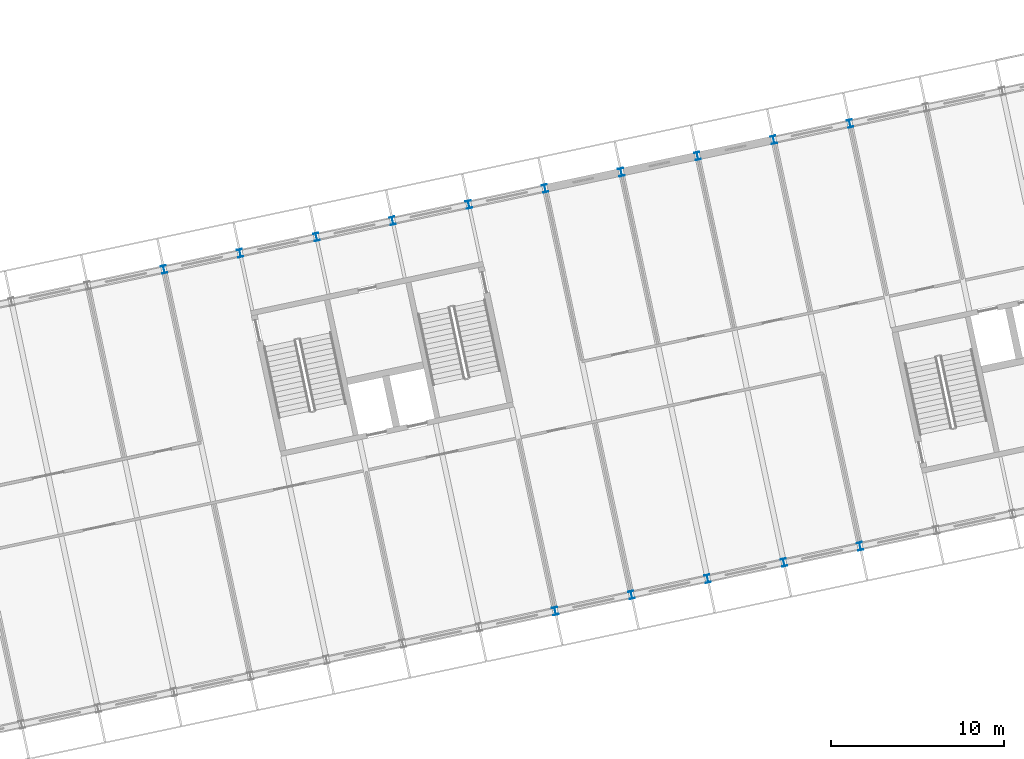
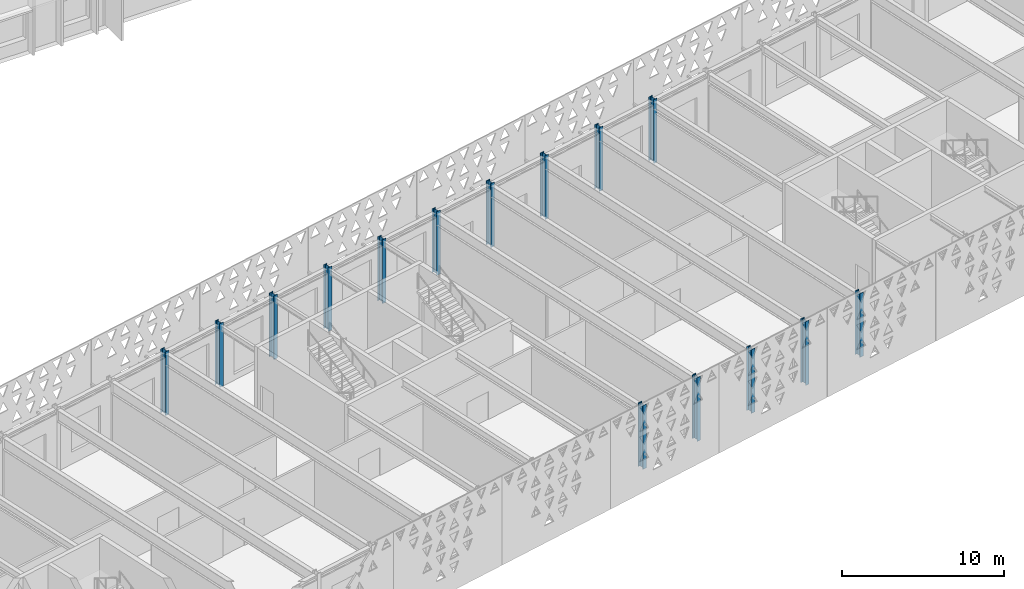
# One storey, part 5 of 182: 15 columns.
"""IFC4 building model written with IfcOpenShell, lengths in metres."""

from ifc_helpers import new_model, si_unit, direction, frame, origin, origin_2d, place, context, subcontext, project, spatial, i_section, extrude, material, material_profile, profile_set, type_object, element, save


model = new_model("IFC4")

# Units and contexts
model_context = context("Model", 3, precision=1e-05, world=origin(), true_north=direction((0.0, 1.0)))
body_context = subcontext(model_context, "Body", "Model", "MODEL_VIEW")
ifc_project = project(units=[si_unit("LENGTHUNIT", "METRE"), si_unit("AREAUNIT", "SQUARE_METRE"), si_unit("VOLUMEUNIT", "CUBIC_METRE"), si_unit("PLANEANGLEUNIT", "RADIAN"), si_unit("MASSUNIT", "GRAM", prefix="KILO")], contexts=[model_context])

# Site, building, storey
site_placement = place(None, origin())
site = spatial("IfcSite", under=ifc_project, at=site_placement, CompositionType="ELEMENT")
building_placement = place(site_placement, origin())
building = spatial("IfcBuilding", under=site, at=building_placement, Name="Okhra Congress Centre", CompositionType="ELEMENT")
storey_placement = place(building_placement, frame((0.0, 0.0, 7.199951171875)))
storey = spatial("IfcBuildingStorey", under=building, at=storey_placement, Name="L01", CompositionType="ELEMENT", Elevation=7.199951171875)

# Columns
ifc_material = material(Name="Steel S355J2", Category="steel")
ifc_material_profile = material_profile(ifc_material, i_section(OverallWidth=0.300048828125, OverallDepth=0.449951171875, WebThickness=0.013916015625, FlangeThickness=0.02587890625, FilletRadius=0.027099609375, at=origin_2d()), Name="HE 450 B")
ifc_profile_set = profile_set([ifc_material_profile], Name="Steel S355J2")
column_type = type_object("IfcColumnType", Name="Steel post HE 450 B", PredefinedType="COLUMN", material=ifc_profile_set)
for number, where, z_axis, x_axis, name in (
    (1, (113.8310546875, 38.036376953125, 0.0), (0.0, 0.0, 1.0), (0.978147600734, 0.207911690818, 0.0), "Post S13"),
    (2, (118.232666015625, 38.97216796875, 0.0), (0.0, 0.0, 1.0), (0.978147600734, 0.207911690818, 0.0), "Post S14"),
    (3, (122.63427734375, 39.90771484375, 0.0), (0.0, 0.0, 1.0), (0.978147600734, 0.207911690818, 0.0), "Post S15"),
    (4, (127.035888671875, 40.84326171875, 0.0), (0.0, 0.0, 1.0), (0.978147600734, 0.207911690818, 0.0), "Post S16"),
    (5, (131.4375, 41.77880859375, 0.0), (0.0, 0.0, 1.0), (0.978147600734, 0.207911690818, 0.0), "Post S17"),
    (6, (91.234375, 57.76953125, 0.0), (0.0, 0.0, 1.0), (0.978147600734, 0.207911690818, 0.0), "Post N9"),
    (7, (95.635986328125, 58.705322265625, 0.0), (0.0, 0.0, 1.0), (0.978147600734, 0.207911690818, 0.0), "Post N10"),
    (8, (100.037841796875, 59.640869140625, 0.0), (0.0, 0.0, 1.0), (0.978147600734, 0.207911690818, 0.0), "Post N11"),
    (9, (104.439453125, 60.576416015625, 0.0), (0.0, 0.0, 1.0), (0.978147600734, 0.207911690818, 0.0), "Post N12"),
    (10, (108.841064453125, 61.511962890625, 0.0), (0.0, 0.0, 1.0), (0.978147600734, 0.207911690818, 0.0), "Post N13"),
    (11, (113.24267578125, 62.447509765625, 0.0), (0.0, 0.0, 1.0), (0.978147600734, 0.207911690818, 0.0), "Post N14"),
    (12, (117.64453125, 63.38330078125, 0.0), (0.0, 0.0, 1.0), (0.978147600734, 0.207911690818, 0.0), "Post N15"),
    (13, (122.046142578125, 64.31884765625, 0.0), (0.0, 0.0, 1.0), (0.978147600734, 0.207911690818, 0.0), "Post N16"),
    (14, (126.44775390625, 65.25439453125, 0.0), (0.0, 0.0, 1.0), (0.978147600734, 0.207911690818, 0.0), "Post N17"),
    (15, (130.849365234375, 66.18994140625, 0.0), (0.0, 0.0, 1.0), (0.978147600734, 0.207911690818, 0.0), "Post N18"),
):
    element("IfcColumn", number, at=place(storey_placement, frame(where, z_axis=z_axis, x_axis=x_axis)), inside=storey, type_object=column_type, Name=name, PredefinedType="COLUMN", context=body_context, shape_type="SweptSolid", body=[
        extrude(i_section(OverallWidth=0.300048828125, OverallDepth=0.449951171875, WebThickness=0.013916015625, FlangeThickness=0.02587890625, FilletRadius=0.027099609375, at=origin_2d()), origin(), (0.0, 0.0, 1.0), 4.800048828125),
    ])

save(model, "model.ifc")
